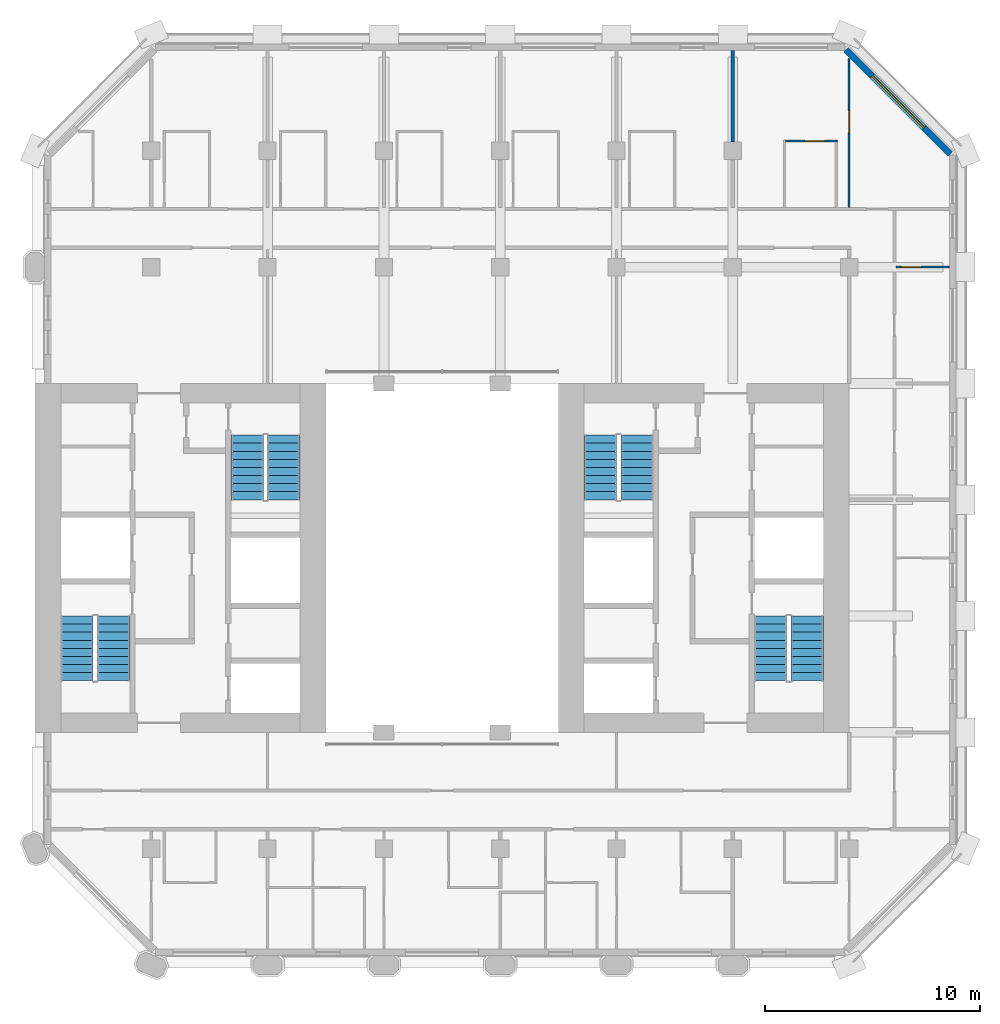
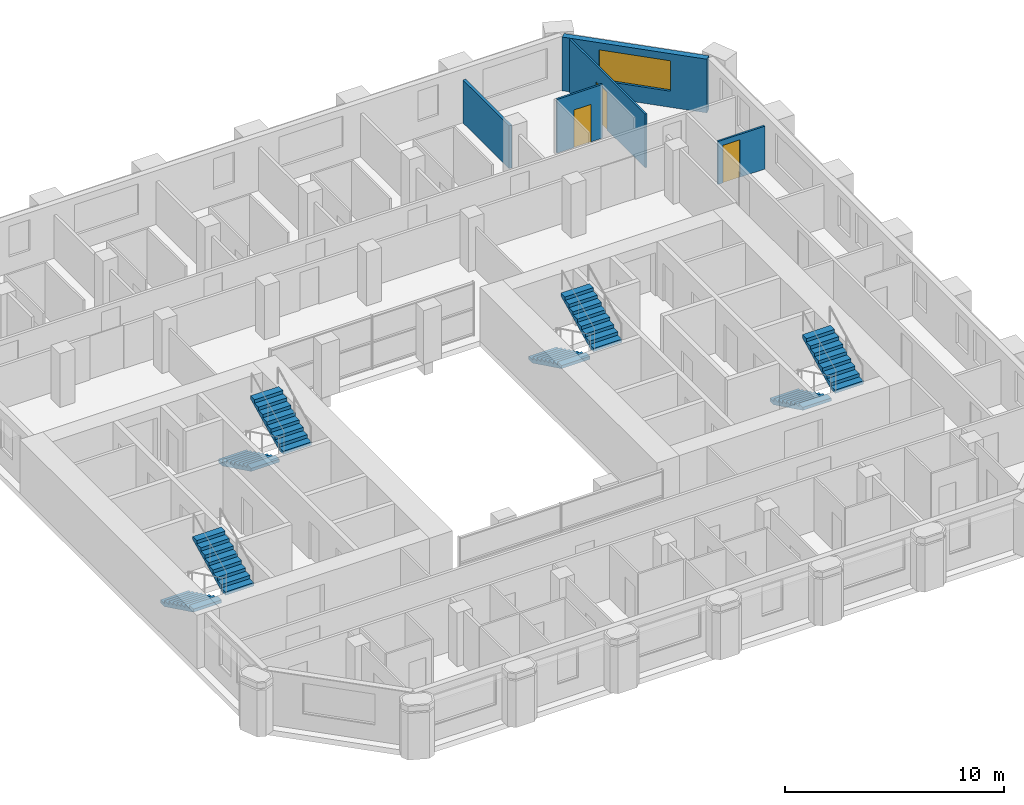
# One storey, part 9 of 12: 8 stair flights, 5 walls, 3 doors, 1 window, 4 openings, 4 elements without a shape of their own.
"""IFC4 building model written with IfcOpenShell, lengths in metres."""

from ifc_helpers import new_model, si_unit, direction, frame, frame_2d, origin, place, context, subcontext, project, spatial, polyline, rectangle, outline, extrude, material, layer, layer_set, type_object, element, fill, aggregate, save


model = new_model("IFC4")

# Units and contexts
model_context = context("Model", 3, precision=1e-05, world=origin(), true_north=direction((0.0, 1.0)))
body_context = subcontext(model_context, "Body", "Model", "MODEL_VIEW")
ifc_project = project(units=[si_unit("LENGTHUNIT", "METRE"), si_unit("AREAUNIT", "SQUARE_METRE"), si_unit("VOLUMEUNIT", "CUBIC_METRE"), si_unit("PLANEANGLEUNIT", "RADIAN"), si_unit("MASSUNIT", "GRAM", prefix="KILO")], contexts=[model_context])

# Site, building, storey
site_placement = place(None, origin())
site = spatial("IfcSite", under=ifc_project, at=site_placement, CompositionType="ELEMENT")
building_placement = place(site_placement, origin())
building = spatial("IfcBuilding", under=site, at=building_placement, Name="Tabaq Tower and Sports Hall", CompositionType="ELEMENT")
storey_placement = place(building_placement, frame((0.0, 0.0, 187.300048828125)))
storey = spatial("IfcBuildingStorey", under=building, at=storey_placement, Name="L45", CompositionType="ELEMENT", Elevation=187.300048828125)

# Wall, opening, door
ifc_material_1 = material(Name="Gypsum board on steel studs", Category="steel")
ifc_layer_1 = layer(ifc_material_1, 0.10009765625)
ifc_layer_set_1 = layer_set([ifc_layer_1], Name="Partition 100 Gypsum board")
wall_type_1 = type_object("IfcWallType", Name="Partition 100 Gypsum board", PredefinedType="PARTITIONING", material=ifc_layer_set_1)
wall_1_placement = place(storey_placement, frame((47.84912109375, 37.800048828125, 0.0), z_axis=(0.0, 0.0, 1.0), x_axis=(-1.0, 0.0, 0.0)))
wall_1 = element("IfcWall", 1, at=wall_1_placement, inside=storey, type_object=wall_type_1, Name="Partition wall L45", PredefinedType="PARTITIONING", context=body_context, shape_type="SweptSolid", body=[
    extrude(rectangle(XDim=2.47412109375, YDim=0.10009765625, at=frame_2d((1.237060546875, 0.0))), origin(), (0.0, 0.0, 1.0), 2.39990234375),
])
opening_1_placement = place(wall_1_placement, frame((1.323974609375, 0.0, 0.0)))
opening_1 = element("IfcOpeningElement", 2, at=opening_1_placement, cuts=wall_1, Name="Opening L45-001", PredefinedType="OPENING", context=body_context, shape_type="SweptSolid", body=[
    extrude(rectangle(XDim=0.89990234375, YDim=2.10009765625, at=frame_2d((0.449951171875, 1.050048828125))), frame((0.0, 0.050048828125, 0.0), z_axis=(0.0, -1.0, 0.0), x_axis=(1.0, 0.0, 0.0)), (0.0, 0.0, 1.0), 0.10009765625),
])
ifc_material_2 = material(Name="Timber leaf in steel frame", Category="steel")
door_type_1 = type_object("IfcDoorType", Name="Internal door 900 right hand", OperationType="SINGLE_SWING_RIGHT", PredefinedType="DOOR", material=ifc_material_2)
door_1_placement = place(opening_1_placement, origin())
door_1 = element("IfcDoor", 3, at=door_1_placement, inside=storey, type_object=door_type_1, Name="Internal door L45-001", OperationType="SINGLE_SWING_RIGHT", OverallHeight=2.10009765625, OverallWidth=0.89990234375, PredefinedType="DOOR", context=body_context, shape_type="SweptSolid", body=[
    extrude(rectangle(XDim=0.89990234375, YDim=2.10009765625, at=frame_2d((0.449951171875, 1.050048828125))), frame((0.0, 0.02490234375, 0.0), z_axis=(0.0, -1.0, 0.0), x_axis=(1.0, 0.0, 0.0)), (0.0, 0.0, 1.0), 0.050048828125),
])
fill(opening_1, door_1)

wall_2_placement = place(storey_placement, frame((40.25, 43.64990234375, 0.0), z_axis=(0.0, 0.0, 1.0), x_axis=(1.0, 0.0, 0.0)))
wall_2 = element("IfcWall", 4, at=wall_2_placement, inside=storey, type_object=wall_type_1, Name="Partition wall L45", PredefinedType="PARTITIONING", context=body_context, shape_type="SweptSolid", body=[
    extrude(rectangle(XDim=2.39990234375, YDim=0.10009765625, at=frame_2d((1.199951171875, 0.0))), origin(), (0.0, 0.0, 1.0), 3.0),
])
opening_2_placement = place(wall_2_placement, frame((0.89990234375, 0.0, 0.0)))
opening_2 = element("IfcOpeningElement", 5, at=opening_2_placement, cuts=wall_2, Name="Opening L45-008", PredefinedType="OPENING", context=body_context, shape_type="SweptSolid", body=[
    extrude(rectangle(XDim=0.89990234375, YDim=2.10009765625, at=frame_2d((0.449951171875, 1.050048828125))), frame((0.0, 0.050048828125, 0.0), z_axis=(0.0, -1.0, 0.0), x_axis=(1.0, 0.0, 0.0)), (0.0, 0.0, 1.0), 0.10009765625),
])
ifc_material_3 = material(Name="Timber leaf in steel frame", Category="steel")
door_type_2 = type_object("IfcDoorType", Name="Internal door 900 left hand", OperationType="SINGLE_SWING_LEFT", PredefinedType="DOOR", material=ifc_material_3)
door_2_placement = place(opening_2_placement, origin())
door_2 = element("IfcDoor", 6, at=door_2_placement, inside=storey, type_object=door_type_2, Name="Internal door L45-008", OperationType="SINGLE_SWING_LEFT", OverallHeight=2.10009765625, OverallWidth=0.89990234375, PredefinedType="DOOR", context=body_context, shape_type="SweptSolid", body=[
    extrude(rectangle(XDim=0.89990234375, YDim=2.10009765625, at=frame_2d((0.449951171875, 1.050048828125))), frame((0.0, 0.02490234375, 0.0), z_axis=(0.0, -1.0, 0.0), x_axis=(1.0, 0.0, 0.0)), (0.0, 0.0, 1.0), 0.050048828125),
])
fill(opening_2, door_2)

wall_3_placement = place(storey_placement, frame((43.199951171875, 40.574951171875, 0.0), z_axis=(0.0, 0.0, 1.0), x_axis=(0.0, 1.0, 0.0)))
wall_3 = element("IfcWall", 7, at=wall_3_placement, inside=storey, type_object=wall_type_1, Name="Partition wall L45", PredefinedType="PARTITIONING", context=body_context, shape_type="SweptSolid", body=[
    extrude(rectangle(XDim=6.912841796875, YDim=0.10009765625, at=frame_2d((3.45654296875, 0.0))), origin(), (0.0, 0.0, 1.0), 3.0),
])
opening_3_placement = place(wall_3_placement, frame((3.47509765625, 0.0, 0.0)))
opening_3 = element("IfcOpeningElement", 8, at=opening_3_placement, cuts=wall_3, Name="Opening L45-029", PredefinedType="OPENING", context=body_context, shape_type="SweptSolid", body=[
    extrude(rectangle(XDim=1.0, YDim=2.10009765625, at=frame_2d((0.5, 1.050048828125))), frame((0.0, 0.050048828125, 0.0), z_axis=(0.0, -1.0, 0.0), x_axis=(1.0, 0.0, 0.0)), (0.0, 0.0, 1.0), 0.10009765625),
])
ifc_material_4 = material(Name="Timber leaf in steel frame", Category="steel")
door_type_3 = type_object("IfcDoorType", Name="Internal door 1000 left hand", OperationType="SINGLE_SWING_LEFT", PredefinedType="DOOR", material=ifc_material_4)
door_3_placement = place(opening_3_placement, origin())
door_3 = element("IfcDoor", 9, at=door_3_placement, inside=storey, type_object=door_type_3, Name="Internal door L45-029", OperationType="SINGLE_SWING_LEFT", OverallHeight=2.10009765625, OverallWidth=1.0, PredefinedType="DOOR", context=body_context, shape_type="SweptSolid", body=[
    extrude(rectangle(XDim=1.0, YDim=2.10009765625, at=frame_2d((0.5, 1.050048828125))), frame((0.0, 0.02490234375, 0.0), z_axis=(0.0, -1.0, 0.0), x_axis=(1.0, 0.0, 0.0)), (0.0, 0.0, 1.0), 0.050048828125),
])
fill(opening_3, door_3)

# Wall
ifc_material_5 = material(Name="Blockwork", Category="masonry")
ifc_layer_2 = layer(ifc_material_5, 0.14990234375)
ifc_layer_set_2 = layer_set([ifc_layer_2], Name="Separating wall 150 Blockwork")
wall_type_2 = type_object("IfcWallType", Name="Separating wall 150 Blockwork", PredefinedType="PARTITIONING", material=ifc_layer_set_2)
wall_4_placement = place(storey_placement, frame((37.800048828125, 43.6201171875, 0.0), z_axis=(0.0, 0.0, 1.0), x_axis=(0.0, 1.0, 0.0)))
element("IfcWall", 10, at=wall_4_placement, inside=storey, type_object=wall_type_2, Name="Separating wall L45", PredefinedType="PARTITIONING", context=body_context, shape_type="SweptSolid", body=[
    extrude(rectangle(XDim=4.22900390625, YDim=0.14990234375, at=frame_2d((2.114501953125, 0.0))), origin(), (0.0, 0.0, 1.0), 2.39990234375),
])

# Wall, opening, window
ifc_material_6 = material(Name="White precast concrete C60/75", Category="concrete")
ifc_layer_3 = layer(ifc_material_6, 0.300048828125)
ifc_layer_set_3 = layer_set([ifc_layer_3], Name="White precast concrete C60/75 external wall 300")
wall_type_3 = type_object("IfcWallType", Name="White precast concrete C60/75 external wall 300", PredefinedType="SOLIDWALL", material=ifc_layer_set_3)
wall_5_placement = place(storey_placement, frame((47.901123046875, 43.050537109375, 0.0), z_axis=(0.0, 0.0, 1.0), x_axis=(-0.707106781187, 0.707106781187, 0.0)))
wall_5 = element("IfcWall", 11, at=wall_5_placement, inside=storey, type_object=wall_type_3, Name="External Wall L45 NE", PredefinedType="SOLIDWALL", context=body_context, shape_type="SweptSolid", body=[
    extrude(rectangle(XDim=6.85986328125, YDim=0.300048828125, at=frame_2d((3.429931640625, 0.0))), origin(), (0.0, 0.0, 1.0), 3.0),
])
opening_4_placement = place(wall_5_placement, frame((1.729736328125, 0.0, 0.89990234375)))
opening_4 = element("IfcOpeningElement", 12, at=opening_4_placement, cuts=wall_5, Name="Opening W1A", PredefinedType="OPENING", context=body_context, shape_type="SweptSolid", body=[
    extrude(rectangle(XDim=3.39990234375, YDim=1.699951171875, at=frame_2d((1.699951171875, 0.85009765625))), frame((0.0, 0.16015625, 0.0), z_axis=(0.0, -1.0, 0.0), x_axis=(1.0, 0.0, 0.0)), (0.0, 0.0, 1.0), 0.320068359375),
])
ifc_material_7 = material(Name="Aluminium framed clear glazing", Category="aluminium")
window_type = type_object("IfcWindowType", Name="Window W1A", PartitioningType="SINGLE_PANEL", PredefinedType="WINDOW", material=ifc_material_7)
window_placement = place(opening_4_placement, origin())
window = element("IfcWindow", 13, at=window_placement, inside=storey, type_object=window_type, Name="Window W1A L45", OverallHeight=1.699951171875, OverallWidth=3.39990234375, PartitioningType="SINGLE_PANEL", PredefinedType="WINDOW", context=body_context, shape_type="SweptSolid", body=[
    extrude(rectangle(XDim=3.39990234375, YDim=1.699951171875, at=frame_2d((1.699951171875, 0.85009765625))), frame((0.0, 0.030029296875, 0.0), z_axis=(0.0, -1.0, 0.0), x_axis=(1.0, 0.0, 0.0)), (0.0, 0.0, 1.0), 0.06005859375),
])
fill(opening_4, window)

# Stair, stair flights
ifc_material_8 = material(Name="Concrete C40/50", Category="concrete")
stair_type = type_object("IfcStairType", Name="Exit stair", PredefinedType="HALF_TURN_STAIR", material=ifc_material_8)
stair_1_placement = place(storey_placement, origin())
stair_1 = element("IfcStair", 14, at=stair_1_placement, inside=storey, type_object=stair_type, Name="L45 Exit stair ST1", PredefinedType="HALF_TURN_STAIR")
ifc_material_9 = material(Name="Concrete C40/50", Category="concrete")
stair_flight_type = type_object("IfcStairFlightType", Name="Exit stair flight", PredefinedType="STRAIGHT", material=ifc_material_9)
stair_flight_1_placement = place(storey_placement, frame((7.35009765625, 21.60009765625, 0.0), z_axis=(0.0, 0.0, 1.0), x_axis=(0.0, -1.0, 0.0)))
stair_flight_1 = element("IfcStairFlight", 15, at=stair_flight_1_placement, type_object=stair_flight_type, Name="ST1 flight 1", NumberOfRisers=9, NumberOfTreads=8, PredefinedType="STRAIGHT", RiserHeight=0.183333333, TreadLength=0.375, context=body_context, shape_type="SweptSolid", body=[
    extrude(outline(polyline([(0.0, 0.0), (0.0, 0.183349609375), (0.375, 0.183349609375), (0.375, 0.36669921875), (0.75, 0.36669921875), (0.75, 0.550048828125), (1.125, 0.550048828125), (1.125, 0.7333984375), (1.5, 0.7333984375), (1.5, 0.916748046875), (1.875, 0.916748046875), (1.875, 1.10009765625), (2.25, 1.10009765625), (2.25, 1.283447265625), (2.625, 1.283447265625), (2.625, 1.466552734375), (3.0, 1.466552734375), (3.0, 1.64990234375), (3.0, 1.2998046875), (0.34130859375, 0.0), (0.0, 0.0)])), frame((0.0, 0.75, 0.0), z_axis=(0.0, -1.0, 0.0), x_axis=(1.0, 0.0, 0.0)), (0.0, 0.0, 1.0), 1.5),
])
stair_flight_2_placement = place(storey_placement, frame((9.050048828125, 18.60009765625, 1.64990234375), z_axis=(0.0, 0.0, 1.0), x_axis=(0.0, 1.0, 0.0)))
stair_flight_2 = element("IfcStairFlight", 16, at=stair_flight_2_placement, type_object=stair_flight_type, Name="ST1 flight 2", NumberOfRisers=9, NumberOfTreads=8, PredefinedType="STRAIGHT", RiserHeight=0.183333333, TreadLength=0.375, context=body_context, shape_type="SweptSolid", body=[
    extrude(outline(polyline([(0.0, 0.0), (0.0, 0.183349609375), (0.375, 0.183349609375), (0.375, 0.36669921875), (0.75, 0.36669921875), (0.75, 0.550048828125), (1.125, 0.550048828125), (1.125, 0.7333984375), (1.5, 0.7333984375), (1.5, 0.916748046875), (1.875, 0.916748046875), (1.875, 1.10009765625), (2.25, 1.10009765625), (2.25, 1.283447265625), (2.625, 1.283447265625), (2.625, 1.466552734375), (3.0, 1.466552734375), (3.0, 1.64990234375), (3.0, 1.2998046875), (0.34130859375, 0.0), (0.0, 0.0)])), frame((0.0, 0.75, 0.0), z_axis=(0.0, -1.0, 0.0), x_axis=(1.0, 0.0, 0.0)), (0.0, 0.0, 1.0), 1.5),
])
aggregate(stair_1, [stair_flight_1, stair_flight_2])

stair_2_placement = place(storey_placement, origin())
stair_2 = element("IfcStair", 17, at=stair_2_placement, inside=storey, type_object=stair_type, Name="L45 Exit stair ST2", PredefinedType="HALF_TURN_STAIR")
stair_flight_3_placement = place(storey_placement, frame((15.25, 30.0, 0.0), z_axis=(0.0, 0.0, 1.0), x_axis=(0.0, -1.0, 0.0)))
stair_flight_3 = element("IfcStairFlight", 18, at=stair_flight_3_placement, type_object=stair_flight_type, Name="ST2 flight 1", NumberOfRisers=9, NumberOfTreads=8, PredefinedType="STRAIGHT", RiserHeight=0.183333333, TreadLength=0.375, context=body_context, shape_type="SweptSolid", body=[
    extrude(outline(polyline([(0.0, 0.0), (0.0, 0.183349609375), (0.375, 0.183349609375), (0.375, 0.36669921875), (0.75, 0.36669921875), (0.75, 0.550048828125), (1.125, 0.550048828125), (1.125, 0.7333984375), (1.5, 0.7333984375), (1.5, 0.916748046875), (1.875, 0.916748046875), (1.875, 1.10009765625), (2.25, 1.10009765625), (2.25, 1.283447265625), (2.625, 1.283447265625), (2.625, 1.466552734375), (3.0, 1.466552734375), (3.0, 1.64990234375), (3.0, 1.2998046875), (0.34130859375, 0.0), (0.0, 0.0)])), frame((0.0, 0.75, 0.0), z_axis=(0.0, -1.0, 0.0), x_axis=(1.0, 0.0, 0.0)), (0.0, 0.0, 1.0), 1.5),
])
stair_flight_4_placement = place(storey_placement, frame((16.949951171875, 27.0, 1.64990234375), z_axis=(0.0, 0.0, 1.0), x_axis=(0.0, 1.0, 0.0)))
stair_flight_4 = element("IfcStairFlight", 19, at=stair_flight_4_placement, type_object=stair_flight_type, Name="ST2 flight 2", NumberOfRisers=9, NumberOfTreads=8, PredefinedType="STRAIGHT", RiserHeight=0.183333333, TreadLength=0.375, context=body_context, shape_type="SweptSolid", body=[
    extrude(outline(polyline([(0.0, 0.0), (0.0, 0.183349609375), (0.375, 0.183349609375), (0.375, 0.36669921875), (0.75, 0.36669921875), (0.75, 0.550048828125), (1.125, 0.550048828125), (1.125, 0.7333984375), (1.5, 0.7333984375), (1.5, 0.916748046875), (1.875, 0.916748046875), (1.875, 1.10009765625), (2.25, 1.10009765625), (2.25, 1.283447265625), (2.625, 1.283447265625), (2.625, 1.466552734375), (3.0, 1.466552734375), (3.0, 1.64990234375), (3.0, 1.2998046875), (0.34130859375, 0.0), (0.0, 0.0)])), frame((0.0, 0.75, 0.0), z_axis=(0.0, -1.0, 0.0), x_axis=(1.0, 0.0, 0.0)), (0.0, 0.0, 1.0), 1.5),
])
aggregate(stair_2, [stair_flight_3, stair_flight_4])

stair_3_placement = place(storey_placement, origin())
stair_3 = element("IfcStair", 20, at=stair_3_placement, inside=storey, type_object=stair_type, Name="L45 Exit stair ST3", PredefinedType="HALF_TURN_STAIR")
stair_flight_5_placement = place(storey_placement, frame((39.550048828125, 21.60009765625, 0.0), z_axis=(0.0, 0.0, 1.0), x_axis=(0.0, -1.0, 0.0)))
stair_flight_5 = element("IfcStairFlight", 21, at=stair_flight_5_placement, type_object=stair_flight_type, Name="ST3 flight 1", NumberOfRisers=9, NumberOfTreads=8, PredefinedType="STRAIGHT", RiserHeight=0.183333333, TreadLength=0.375, context=body_context, shape_type="SweptSolid", body=[
    extrude(outline(polyline([(0.0, 0.0), (0.0, 0.183349609375), (0.375, 0.183349609375), (0.375, 0.36669921875), (0.75, 0.36669921875), (0.75, 0.550048828125), (1.125, 0.550048828125), (1.125, 0.7333984375), (1.5, 0.7333984375), (1.5, 0.916748046875), (1.875, 0.916748046875), (1.875, 1.10009765625), (2.25, 1.10009765625), (2.25, 1.283447265625), (2.625, 1.283447265625), (2.625, 1.466552734375), (3.0, 1.466552734375), (3.0, 1.64990234375), (3.0, 1.2998046875), (0.34130859375, 0.0), (0.0, 0.0)])), frame((0.0, 0.75, 0.0), z_axis=(0.0, -1.0, 0.0), x_axis=(1.0, 0.0, 0.0)), (0.0, 0.0, 1.0), 1.5),
])
stair_flight_6_placement = place(storey_placement, frame((41.25, 18.60009765625, 1.64990234375), z_axis=(0.0, 0.0, 1.0), x_axis=(0.0, 1.0, 0.0)))
stair_flight_6 = element("IfcStairFlight", 22, at=stair_flight_6_placement, type_object=stair_flight_type, Name="ST3 flight 2", NumberOfRisers=9, NumberOfTreads=8, PredefinedType="STRAIGHT", RiserHeight=0.183333333, TreadLength=0.375, context=body_context, shape_type="SweptSolid", body=[
    extrude(outline(polyline([(0.0, 0.0), (0.0, 0.183349609375), (0.375, 0.183349609375), (0.375, 0.36669921875), (0.75, 0.36669921875), (0.75, 0.550048828125), (1.125, 0.550048828125), (1.125, 0.7333984375), (1.5, 0.7333984375), (1.5, 0.916748046875), (1.875, 0.916748046875), (1.875, 1.10009765625), (2.25, 1.10009765625), (2.25, 1.283447265625), (2.625, 1.283447265625), (2.625, 1.466552734375), (3.0, 1.466552734375), (3.0, 1.64990234375), (3.0, 1.2998046875), (0.34130859375, 0.0), (0.0, 0.0)])), frame((0.0, 0.75, 0.0), z_axis=(0.0, -1.0, 0.0), x_axis=(1.0, 0.0, 0.0)), (0.0, 0.0, 1.0), 1.5),
])
aggregate(stair_3, [stair_flight_5, stair_flight_6])

stair_4_placement = place(storey_placement, origin())
stair_4 = element("IfcStair", 23, at=stair_4_placement, inside=storey, type_object=stair_type, Name="L45 Exit stair ST4", PredefinedType="HALF_TURN_STAIR")
stair_flight_7_placement = place(storey_placement, frame((31.64990234375, 30.0, 0.0), z_axis=(0.0, 0.0, 1.0), x_axis=(0.0, -1.0, 0.0)))
stair_flight_7 = element("IfcStairFlight", 24, at=stair_flight_7_placement, type_object=stair_flight_type, Name="ST4 flight 1", NumberOfRisers=9, NumberOfTreads=8, PredefinedType="STRAIGHT", RiserHeight=0.183333333, TreadLength=0.375, context=body_context, shape_type="SweptSolid", body=[
    extrude(outline(polyline([(0.0, 0.0), (0.0, 0.183349609375), (0.375, 0.183349609375), (0.375, 0.36669921875), (0.75, 0.36669921875), (0.75, 0.550048828125), (1.125, 0.550048828125), (1.125, 0.7333984375), (1.5, 0.7333984375), (1.5, 0.916748046875), (1.875, 0.916748046875), (1.875, 1.10009765625), (2.25, 1.10009765625), (2.25, 1.283447265625), (2.625, 1.283447265625), (2.625, 1.466552734375), (3.0, 1.466552734375), (3.0, 1.64990234375), (3.0, 1.2998046875), (0.34130859375, 0.0), (0.0, 0.0)])), frame((0.0, 0.75, 0.0), z_axis=(0.0, -1.0, 0.0), x_axis=(1.0, 0.0, 0.0)), (0.0, 0.0, 1.0), 1.5),
])
stair_flight_8_placement = place(storey_placement, frame((33.35009765625, 27.0, 1.64990234375), z_axis=(0.0, 0.0, 1.0), x_axis=(0.0, 1.0, 0.0)))
stair_flight_8 = element("IfcStairFlight", 25, at=stair_flight_8_placement, type_object=stair_flight_type, Name="ST4 flight 2", NumberOfRisers=9, NumberOfTreads=8, PredefinedType="STRAIGHT", RiserHeight=0.183333333, TreadLength=0.375, context=body_context, shape_type="SweptSolid", body=[
    extrude(outline(polyline([(0.0, 0.0), (0.0, 0.183349609375), (0.375, 0.183349609375), (0.375, 0.36669921875), (0.75, 0.36669921875), (0.75, 0.550048828125), (1.125, 0.550048828125), (1.125, 0.7333984375), (1.5, 0.7333984375), (1.5, 0.916748046875), (1.875, 0.916748046875), (1.875, 1.10009765625), (2.25, 1.10009765625), (2.25, 1.283447265625), (2.625, 1.283447265625), (2.625, 1.466552734375), (3.0, 1.466552734375), (3.0, 1.64990234375), (3.0, 1.2998046875), (0.34130859375, 0.0), (0.0, 0.0)])), frame((0.0, 0.75, 0.0), z_axis=(0.0, -1.0, 0.0), x_axis=(1.0, 0.0, 0.0)), (0.0, 0.0, 1.0), 1.5),
])
aggregate(stair_4, [stair_flight_7, stair_flight_8])

save(model, "model.ifc")
